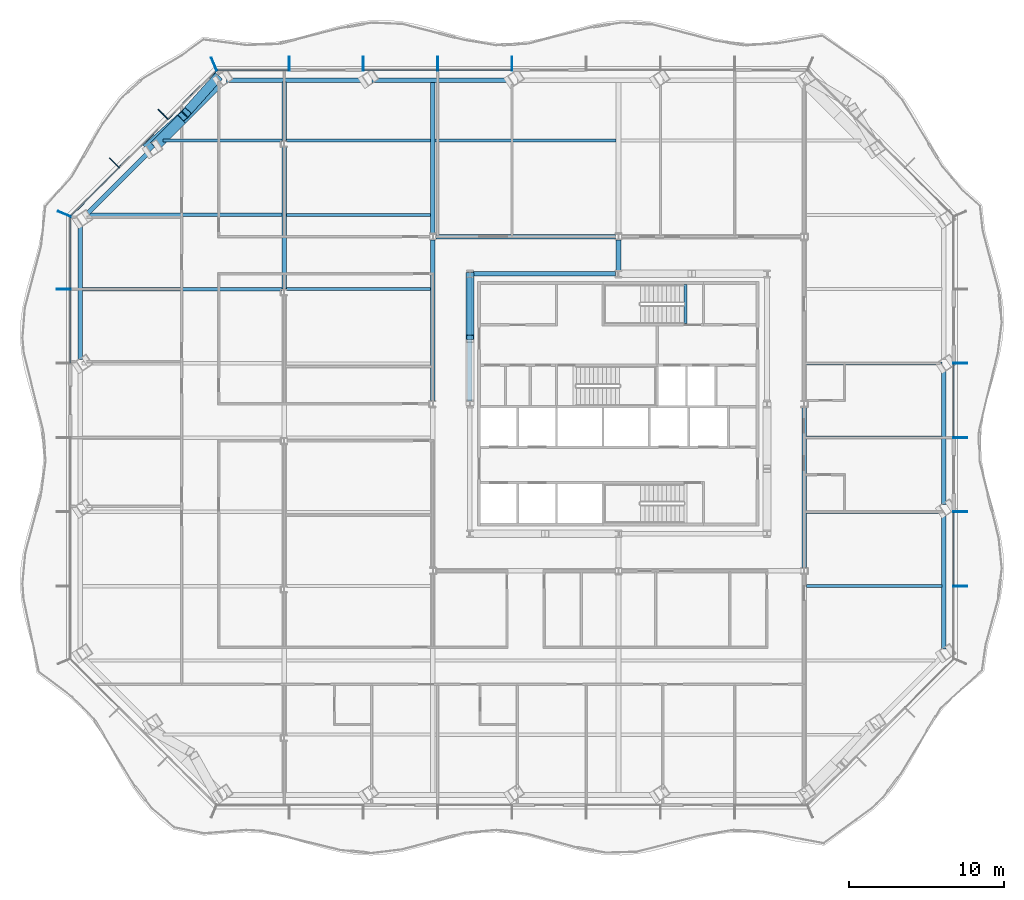
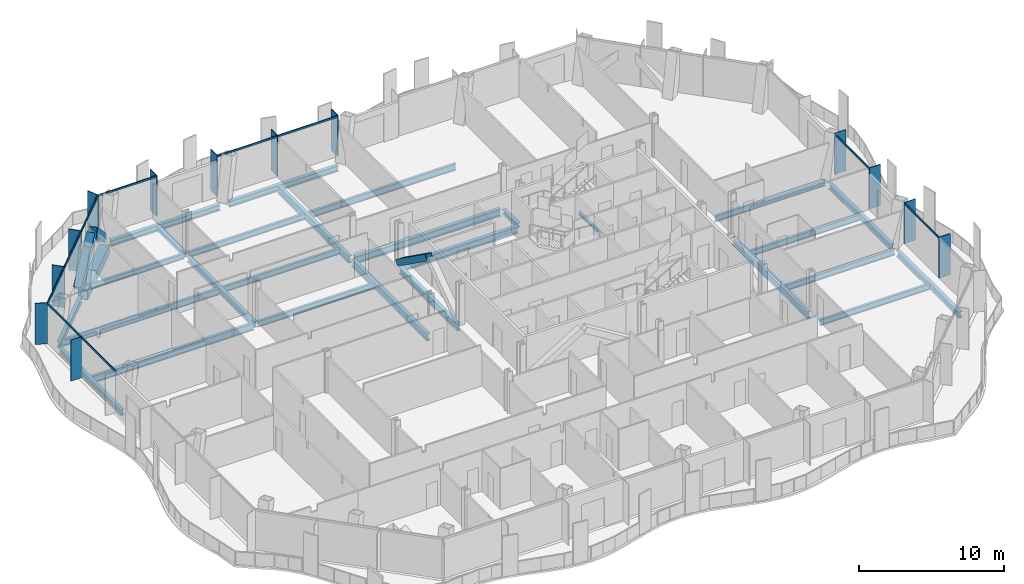
# One storey, part 3 of 19: 29 beams, 26 members, 4 elements without a shape of their own.
"""IFC4 building model written with IfcOpenShell, lengths in metres."""

import ifcopenshell
import ifcopenshell.guid

model = None  # the IFC model being written
_history = None  # IfcOwnerHistory: only IFC2X3 demands one
_inside = {}  # id of a spatial element -> (the spatial element, [elements in it])
_under = {}  # id of a project, library or spatial element -> (it, [spatial elements below it])
_declared = {}  # id of a project -> (the project, [libraries it declares])
_typed = {}  # id of a type object -> (the type object, [elements of that type])
_made_of = {}  # id of a material, layer set ... -> (it, [elements and type objects made of it])


def new_model(schema):
    """Start an empty IFC model of exactly this schema.

    Asked for "IFC4X3", IfcOpenShell would pick the latest addendum, in which some entities
    have other attributes; the version numbers below select the first issue.
    IFC2X3 requires an IfcOwnerHistory on every rooted entity: one is made here for all.
    """
    global model, _history
    if schema == "IFC4X3":
        model = ifcopenshell.file(schema_version=(4, 3, 0, 0))
    else:
        model = ifcopenshell.file(schema=schema)
    _inside.clear()
    _under.clear()
    _declared.clear()
    _typed.clear()
    _made_of.clear()
    _history = None
    if model.schema == "IFC2X3":
        org = make("IfcOrganization", Name="unknown")
        user = make(
            "IfcPersonAndOrganization",
            ThePerson=make("IfcPerson", FamilyName="unknown"),
            TheOrganization=org,
        )
        app = make(
            "IfcApplication",
            ApplicationDeveloper=org,
            Version="unknown",
            ApplicationFullName="unknown",
            ApplicationIdentifier="unknown",
        )
        _history = make(
            "IfcOwnerHistory",
            OwningUser=user,
            OwningApplication=app,
            ChangeAction="ADDED",
            CreationDate=0,
        )
    return model


def make(cls, **values):
    """One entity of the class cls with the attributes given. An attribute that is None is left unset."""
    return model.create_entity(
        cls, **{name: value for name, value in values.items() if value is not None}
    )


def rooted(cls, **values):
    """An entity with a GlobalId (a new one), such as an element, a storey or a relation."""
    return make(cls, GlobalId=ifcopenshell.guid.new(), OwnerHistory=_history, **values)


def si_unit(unit_type, name, prefix=None):
    """IfcSIUnit, for example si_unit("LENGTHUNIT", "METRE", prefix="MILLI")."""
    return make("IfcSIUnit", UnitType=unit_type, Prefix=prefix, Name=name)


def assignment(units):
    """IfcUnitAssignment: the units of a project."""
    return None if units is None else make("IfcUnitAssignment", Units=units)


def point(xyz):
    """IfcCartesianPoint."""
    return None if xyz is None else make("IfcCartesianPoint", Coordinates=xyz)


def direction(xyz):
    """IfcDirection."""
    return None if xyz is None else make("IfcDirection", DirectionRatios=xyz)


def frame(location, z_axis=None, x_axis=None):
    """IfcAxis2Placement3D, a coordinate frame: its origin and axes. An axis left out is left unset."""
    return make(
        "IfcAxis2Placement3D",
        Location=point(location),
        Axis=direction(z_axis),
        RefDirection=direction(x_axis),
    )


def frame_2d(location, x_axis=None):
    """IfcAxis2Placement2D, a coordinate frame in the plane: its origin and x axis."""
    return make(
        "IfcAxis2Placement2D", Location=point(location), RefDirection=direction(x_axis)
    )


def origin():
    """The frame at (0, 0, 0) with its axes left unset."""
    return frame((0.0, 0.0, 0.0))


def origin_2d():
    """The frame at (0, 0) in the plane with its x axis left unset."""
    return frame_2d((0.0, 0.0))


def place(relative_to, where):
    """IfcLocalPlacement: puts the frame where relative to a parent placement (None: the world)."""
    return make(
        "IfcLocalPlacement", PlacementRelTo=relative_to, RelativePlacement=where
    )


def context(
    kind, dimensions, precision=None, world=None, true_north=None, identifier=None
):
    """IfcGeometricRepresentationContext, for example the 3D "Model" context."""
    return make(
        "IfcGeometricRepresentationContext",
        ContextIdentifier=identifier,
        ContextType=kind,
        CoordinateSpaceDimension=dimensions,
        Precision=precision,
        WorldCoordinateSystem=world,
        TrueNorth=true_north,
    )


def subcontext(parent, identifier, kind, view, scale=None):
    """IfcGeometricRepresentationSubContext, for example "Body" below "Model"."""
    return make(
        "IfcGeometricRepresentationSubContext",
        ContextIdentifier=identifier,
        ContextType=kind,
        ParentContext=parent,
        TargetScale=scale,
        TargetView=view,
    )


def project(units=None, contexts=None):
    """IfcProject with its units and contexts."""
    return rooted(
        "IfcProject",
        Name="project",
        RepresentationContexts=contexts,
        UnitsInContext=assignment(units),
    )


def spatial(cls, under=None, at=None, **own):
    """A site, building, storey or space (cls), placed at a placement, below another one or the project."""
    s = rooted(cls, ObjectPlacement=at, **own)
    if under is not None:
        _under.setdefault(under.id(), (under, []))[1].append(s)
    return s


def profile(cls, at=None, kind="AREA", **sizes):
    """A parametric profile (cls). Its sizes go by their IFC names, for example OverallWidth=200.0."""
    return make(cls, ProfileType=kind, Position=at, **sizes)


def rectangle(**sizes):
    """IfcRectangleProfileDef."""
    return profile("IfcRectangleProfileDef", **sizes)


def hollow_rectangle(**sizes):
    """IfcRectangleHollowProfileDef."""
    return profile("IfcRectangleHollowProfileDef", **sizes)


def i_section(**sizes):
    """IfcIShapeProfileDef."""
    return profile("IfcIShapeProfileDef", **sizes)


def extrude(swept, where, along, depth):
    """IfcExtrudedAreaSolid: the profile swept, set in the frame where, extruded along a direction by depth."""
    return make(
        "IfcExtrudedAreaSolid",
        SweptArea=swept,
        Position=where,
        ExtrudedDirection=direction(along),
        Depth=depth,
    )


def shape(context_of_items, identifier, shape_type, items):
    """IfcShapeRepresentation: the items that make up one representation, for example the "Body"."""
    return make(
        "IfcShapeRepresentation",
        ContextOfItems=context_of_items,
        RepresentationIdentifier=identifier,
        RepresentationType=shape_type,
        Items=items,
    )


def material(Name=None, Category=None):
    """IfcMaterial."""
    return make("IfcMaterial", Name=Name, Category=Category)


def material_profile(
    of_material, cross_section, Name=None, Category=None, Priority=None
):
    """IfcMaterialProfile: a cross section and its material."""
    return make(
        "IfcMaterialProfile",
        Name=Name,
        Material=of_material,
        Profile=cross_section,
        Priority=Priority,
        Category=Category,
    )


def profile_set(profiles, Name=None, composite=None):
    """IfcMaterialProfileSet."""
    return make(
        "IfcMaterialProfileSet",
        Name=Name,
        MaterialProfiles=profiles,
        CompositeProfile=composite,
    )


def made_of(thing, what):
    """Note that an element or type object is made of a material, layer set ...; save() writes the relation."""
    if what is not None:
        _made_of.setdefault(what.id(), (what, []))[1].append(thing)
    return thing


def type_object(cls, material=None, **own):
    """A type object (cls), such as IfcWallType, which elements share."""
    return made_of(rooted(cls, **own), material)


def element(
    cls,
    number,
    at=None,
    inside=None,
    cuts=None,
    type_object=None,
    material=None,
    context=None,
    identifier="Body",
    shape_type=None,
    held_by="IfcProductDefinitionShape",
    body=None,
    shapes=None,
    **own,
):
    """One element of the class cls, such as IfcWall. Its Tag is "e" and its number.

    at: its placement. inside: the storey or other place that contains it. cuts: it is an
    opening in that element (IfcRelVoidsElement). A single representation is given by context,
    identifier, shape_type and body (its items); several are given by shapes. held_by: the class
    of the entity that holds the representations. save() writes the other relations.
    """
    e = rooted(cls, Tag="e%d" % number, ObjectPlacement=at, **own)
    if body is not None:
        shapes = [shape(context, identifier, shape_type, body)]
    if shapes is not None:
        e.Representation = make(held_by, Representations=shapes)
    if inside is not None:
        _inside.setdefault(inside.id(), (inside, []))[1].append(e)
    if cuts is not None:
        rooted(
            "IfcRelVoidsElement", RelatingBuildingElement=cuts, RelatedOpeningElement=e
        )
    if type_object is not None:
        _typed.setdefault(type_object.id(), (type_object, []))[1].append(e)
    return made_of(e, material)


def aggregate(whole, parts):
    """IfcRelAggregates: a whole, such as a stair, and the parts it consists of."""
    return rooted("IfcRelAggregates", RelatingObject=whole, RelatedObjects=parts)


def save(model, path):
    """Write the relations noted so far, then the file.

    IfcRelAggregates (storeys below a building ...), IfcRelContainedInSpatialStructure (elements
    in a storey), IfcRelDefinesByType, IfcRelAssociatesMaterial and IfcRelDeclares: one each for
    every whole, place, type object, material and project.
    """
    for whole, parts in _under.values():
        aggregate(whole, parts)
    for where, things in _inside.values():
        rooted(
            "IfcRelContainedInSpatialStructure",
            RelatedElements=things,
            RelatingStructure=where,
        )
    for kind, things in _typed.values():
        rooted("IfcRelDefinesByType", RelatedObjects=things, RelatingType=kind)
    for what, things in _made_of.values():
        rooted("IfcRelAssociatesMaterial", RelatedObjects=things, RelatingMaterial=what)
    for by, libraries in _declared.values():
        rooted("IfcRelDeclares", RelatingContext=by, RelatedDefinitions=libraries)
    model.write(path)


model = new_model("IFC4")

# Units and contexts
model_context = context("Model", 3, precision=1e-05, world=origin(), true_north=direction((0.0, 1.0)))
body_context = subcontext(model_context, "Body", "Model", "MODEL_VIEW")
ifc_project = project(units=[si_unit("LENGTHUNIT", "METRE"), si_unit("AREAUNIT", "SQUARE_METRE"), si_unit("VOLUMEUNIT", "CUBIC_METRE"), si_unit("PLANEANGLEUNIT", "RADIAN"), si_unit("MASSUNIT", "GRAM", prefix="KILO")], contexts=[model_context])

# Site, building, storey
site_placement = place(None, origin())
site = spatial("IfcSite", under=ifc_project, at=site_placement, CompositionType="ELEMENT")
building_placement = place(site_placement, origin())
building = spatial("IfcBuilding", under=site, at=building_placement, Name="Cairn Pilgrim Tower", CompositionType="ELEMENT")
storey_placement = place(building_placement, frame((0.0, 0.0, 90.60009765625)))
storey = spatial("IfcBuildingStorey", under=building, at=storey_placement, Name="L21", CompositionType="ELEMENT", Elevation=90.60009765625)

# Members
ifc_material_1 = material(Name="Structural steel S460M", Category="steel")
ifc_material_profile_1 = material_profile(ifc_material_1, hollow_rectangle(XDim=0.5, YDim=0.5, WallThickness=0.030029296875, at=origin_2d()), Name="BOX 500x500x30")
ifc_profile_set_1 = profile_set([ifc_material_profile_1], Name="Structural steel S460M")
member_type_1 = type_object("IfcMemberType", Name="BOX 500x500x30 BRACE", PredefinedType="BRACE", material=ifc_profile_set_1)
member_1_placement = place(storey_placement, frame((-2.39990234375, 10.75634765625, 0.099853515625), z_axis=(0.0, -0.814175628242, 0.580618675532), x_axis=(1.0, 0.0, 0.0)))
element("IfcMember", 1, at=member_1_placement, inside=storey, type_object=member_type_1, Name="KB-4A", PredefinedType="BRACE", context=body_context, shape_type="SweptSolid", body=[
    extrude(hollow_rectangle(XDim=0.5, YDim=0.5, WallThickness=0.030029296875, at=origin_2d()), origin(), (0.0, 0.0, 1.0), 4.99658203125),
])
ifc_material_profile_2 = material_profile(ifc_material_1, hollow_rectangle(XDim=0.60009765625, YDim=0.60009765625, WallThickness=0.034912109375, at=origin_2d()), Name="BOX 600x600x35")
ifc_profile_set_2 = profile_set([ifc_material_profile_2], Name="Structural steel S460M")
member_type_2 = type_object("IfcMemberType", Name="BOX 600x600x35 BRACE", PredefinedType="BRACE", material=ifc_profile_set_2)
member_2_placement = place(storey_placement, frame((-18.750732421875, 23.444580078125, 0.14990234375), z_axis=(-0.498877118792, -0.559630304218, 0.661766985386), x_axis=(0.746462787456, -0.66542716126, 0.0)))
element("IfcMember", 2, at=member_2_placement, inside=storey, type_object=member_type_2, Name="XB-NW1-NW2-1", PredefinedType="BRACE", context=body_context, shape_type="SweptSolid", body=[
    extrude(hollow_rectangle(XDim=0.60009765625, YDim=0.60009765625, WallThickness=0.034912109375, at=origin_2d()), origin(), (0.0, 0.0, 1.0), 3.970458984375),
])
member_3_placement = place(storey_placement, frame((-23.173828125, 19.021240234375, 0.14990234375), z_axis=(0.559570901461, 0.498940471918, 0.661769455113), x_axis=(-0.665513600019, 0.746385723463, 0.0)))
element("IfcMember", 3, at=member_3_placement, inside=storey, type_object=member_type_2, Name="XB-NW1-NW2-2", PredefinedType="BRACE", context=body_context, shape_type="SweptSolid", body=[
    extrude(hollow_rectangle(XDim=0.60009765625, YDim=0.60009765625, WallThickness=0.034912109375, at=origin_2d()), origin(), (0.0, 0.0, 1.0), 3.97021484375),
])

# Beams
ifc_material_2 = material(Name="Structural steel S355J2", Category="steel")
ifc_material_profile_3 = material_profile(ifc_material_2, hollow_rectangle(XDim=0.699951171875, YDim=0.800048828125, WallThickness=0.0400390625, at=origin_2d()), Name="BOX 700x800x40")
ifc_profile_set_3 = profile_set([ifc_material_profile_3], Name="Structural steel S355J2")
beam_type_1 = type_object("IfcBeamType", Name="BOX 700x800x40 RING GIRDER", PredefinedType="SPANDREL", material=ifc_profile_set_3)
beam_1_placement = place(storey_placement, frame((-18.76123046875, 23.05908203125, -0.550048828125), z_axis=(-0.707106781187, -0.707106781187, 0.0), x_axis=(0.707106781187, -0.707106781187, 0.0)))
element("IfcBeam", 4, at=beam_1_placement, inside=storey, type_object=beam_type_1, Name="RG1-NW1-NW2-1", PredefinedType="SPANDREL", context=body_context, shape_type="SweptSolid", body=[
    extrude(hollow_rectangle(XDim=0.699951171875, YDim=0.800048828125, WallThickness=0.0400390625, at=origin_2d()), origin(), (0.0, 0.0, 1.0), 3.2255859375),
])
beam_2_placement = place(storey_placement, frame((-21.0419921875, 20.7783203125, -0.550048828125), z_axis=(-0.707106781187, -0.707106781187, 0.0), x_axis=(0.707106781187, -0.707106781187, 0.0)))
element("IfcBeam", 5, at=beam_2_placement, inside=storey, type_object=beam_type_1, Name="RG1-NW1-NW2-2", PredefinedType="SPANDREL", context=body_context, shape_type="SweptSolid", body=[
    extrude(hollow_rectangle(XDim=0.699951171875, YDim=0.800048828125, WallThickness=0.0400390625, at=origin_2d()), origin(), (0.0, 0.0, 1.0), 2.469970703125),
])

# Curtain wall, members
ifc_material_3 = material(Name="Aluminium alloy 6063-T6 bronze anodised with Bronze tinted laminated low-E glass 8+16+8.8", Category="aluminium")
curtain_wall_type_1 = type_object("IfcCurtainWallType", Name="TOWER STICK CURTAIN WALL EW", PredefinedType="NOTDEFINED", material=ifc_material_3)
curtain_wall_1_placement = place(storey_placement, origin())
curtain_wall_1 = element("IfcCurtainWall", 6, at=curtain_wall_1_placement, inside=storey, type_object=curtain_wall_type_1, Name="Tower Stick Curtain Wall Ew E", PredefinedType="NOTDEFINED")
ifc_material_4 = material(Name="Aluminium alloy 6063-T6 bronze anodised", Category="aluminium")
ifc_material_profile_4 = material_profile(ifc_material_4, rectangle(XDim=0.89990234375, YDim=0.06005859375, at=origin_2d()), Name="FIN MULLION 60x900 BRONZE")
ifc_profile_set_4 = profile_set([ifc_material_profile_4], Name="Aluminium alloy 6063-T6 bronze anodised")
member_type_3 = type_object("IfcMemberType", Name="FIN MULLION 60x900 BRONZE", PredefinedType="MULLION", material=ifc_profile_set_4)
member_4_placement = place(storey_placement, frame((29.29052734375, -9.38623046875, 0.0), z_axis=(0.0, 0.0, 1.0), x_axis=(1.0, 0.0, 0.0)))
member_4 = element("IfcMember", 7, at=member_4_placement, type_object=member_type_3, Name="Fin mullion E2", PredefinedType="MULLION", context=body_context, shape_type="SweptSolid", body=[
    extrude(rectangle(XDim=0.89990234375, YDim=0.06005859375, at=origin_2d()), origin(), (0.0, 0.0, 1.0), 3.449951171875),
])
member_5_placement = place(storey_placement, frame((29.29052734375, -4.58642578125, 0.0), z_axis=(0.0, 0.0, 1.0), x_axis=(1.0, 0.0, 0.0)))
member_5 = element("IfcMember", 8, at=member_5_placement, type_object=member_type_3, Name="Fin mullion E3", PredefinedType="MULLION", context=body_context, shape_type="SweptSolid", body=[
    extrude(rectangle(XDim=0.89990234375, YDim=0.06005859375, at=origin_2d()), origin(), (0.0, 0.0, 1.0), 3.449951171875),
])
member_6_placement = place(storey_placement, frame((29.29052734375, 0.213623046875, 0.0), z_axis=(0.0, 0.0, 1.0), x_axis=(1.0, 0.0, 0.0)))
member_6 = element("IfcMember", 9, at=member_6_placement, type_object=member_type_3, Name="Fin mullion E4", PredefinedType="MULLION", context=body_context, shape_type="SweptSolid", body=[
    extrude(rectangle(XDim=0.89990234375, YDim=0.06005859375, at=origin_2d()), origin(), (0.0, 0.0, 1.0), 3.449951171875),
])
member_7_placement = place(storey_placement, frame((29.29052734375, 5.013671875, 0.0), z_axis=(0.0, 0.0, 1.0), x_axis=(1.0, 0.0, 0.0)))
member_7 = element("IfcMember", 10, at=member_7_placement, type_object=member_type_3, Name="Fin mullion E5", PredefinedType="MULLION", context=body_context, shape_type="SweptSolid", body=[
    extrude(rectangle(XDim=0.89990234375, YDim=0.06005859375, at=origin_2d()), origin(), (0.0, 0.0, 1.0), 3.449951171875),
])

curtain_wall_type_2 = type_object("IfcCurtainWallType", Name="TOWER STICK CURTAIN WALL NS", PredefinedType="NOTDEFINED", material=ifc_material_3)
curtain_wall_2_placement = place(storey_placement, origin())
curtain_wall_2 = element("IfcCurtainWall", 11, at=curtain_wall_2_placement, inside=storey, type_object=curtain_wall_type_2, Name="Tower Stick Curtain Wall Ns N", PredefinedType="NOTDEFINED")
member_8_placement = place(storey_placement, frame((0.320556640625, 24.383544921875, 0.0), z_axis=(0.0, 0.0, 1.0), x_axis=(0.0, 1.0, 0.0)))
member_8 = element("IfcMember", 12, at=member_8_placement, type_object=member_type_3, Name="Fin mullion N5", PredefinedType="MULLION", context=body_context, shape_type="SweptSolid", body=[
    extrude(rectangle(XDim=0.89990234375, YDim=0.06005859375, at=origin_2d()), origin(), (0.0, 0.0, 1.0), 3.449951171875),
])
member_9_placement = place(storey_placement, frame((-4.4794921875, 24.383544921875, 0.0), z_axis=(0.0, 0.0, 1.0), x_axis=(0.0, 1.0, 0.0)))
member_9 = element("IfcMember", 13, at=member_9_placement, type_object=member_type_3, Name="Fin mullion N6", PredefinedType="MULLION", context=body_context, shape_type="SweptSolid", body=[
    extrude(rectangle(XDim=0.89990234375, YDim=0.06005859375, at=origin_2d()), origin(), (0.0, 0.0, 1.0), 3.449951171875),
])
member_10_placement = place(storey_placement, frame((-9.279541015625, 24.383544921875, 0.0), z_axis=(0.0, 0.0, 1.0), x_axis=(0.0, 1.0, 0.0)))
member_10 = element("IfcMember", 14, at=member_10_placement, type_object=member_type_3, Name="Fin mullion N7", PredefinedType="MULLION", context=body_context, shape_type="SweptSolid", body=[
    extrude(rectangle(XDim=0.89990234375, YDim=0.06005859375, at=origin_2d()), origin(), (0.0, 0.0, 1.0), 3.449951171875),
])
member_11_placement = place(storey_placement, frame((-14.07958984375, 24.383544921875, 0.0), z_axis=(0.0, 0.0, 1.0), x_axis=(0.0, 1.0, 0.0)))
member_11 = element("IfcMember", 15, at=member_11_placement, type_object=member_type_3, Name="Fin mullion N8", PredefinedType="MULLION", context=body_context, shape_type="SweptSolid", body=[
    extrude(rectangle(XDim=0.89990234375, YDim=0.06005859375, at=origin_2d()), origin(), (0.0, 0.0, 1.0), 3.449951171875),
])

curtain_wall_type_3 = type_object("IfcCurtainWallType", Name="CHAMFER CORNER CURTAIN WALL", PredefinedType="NOTDEFINED", material=ifc_material_3)
curtain_wall_3_placement = place(storey_placement, origin())
curtain_wall_3 = element("IfcCurtainWall", 16, at=curtain_wall_3_placement, inside=storey, type_object=curtain_wall_type_3, Name="Chamfer Corner Curtain Wall NW", PredefinedType="NOTDEFINED")
member_12_placement = place(storey_placement, frame((-18.936767578125, 24.351806640625, 0.0), z_axis=(0.0, 0.0, 1.0), x_axis=(-0.382683432365, 0.923879532511, 0.0)))
member_12 = element("IfcMember", 17, at=member_12_placement, type_object=member_type_3, Name="Fin mullion NW1", PredefinedType="MULLION", context=body_context, shape_type="SweptSolid", body=[
    extrude(rectangle(XDim=0.89990234375, YDim=0.06005859375, at=origin_2d()), origin(), (0.0, 0.0, 1.0), 3.449951171875),
])
member_13_placement = place(storey_placement, frame((-22.22412109375, 21.109375, 0.0), z_axis=(0.0, 0.0, 1.0), x_axis=(-0.707106781187, 0.707106781187, 0.0)))
member_13 = element("IfcMember", 18, at=member_13_placement, type_object=member_type_3, Name="Fin mullion NW2", PredefinedType="MULLION", context=body_context, shape_type="SweptSolid", body=[
    extrude(rectangle(XDim=0.89990234375, YDim=0.06005859375, at=origin_2d()), origin(), (0.0, 0.0, 1.0), 3.449951171875),
])
member_14_placement = place(storey_placement, frame((-25.375244140625, 17.958251953125, 0.0), z_axis=(0.0, 0.0, 1.0), x_axis=(-0.707106781187, 0.707106781187, 0.0)))
member_14 = element("IfcMember", 19, at=member_14_placement, type_object=member_type_3, Name="Fin mullion NW3", PredefinedType="MULLION", context=body_context, shape_type="SweptSolid", body=[
    extrude(rectangle(XDim=0.89990234375, YDim=0.06005859375, at=origin_2d()), origin(), (0.0, 0.0, 1.0), 3.449951171875),
])

curtain_wall_4_placement = place(storey_placement, origin())
curtain_wall_4 = element("IfcCurtainWall", 20, at=curtain_wall_4_placement, inside=storey, type_object=curtain_wall_type_1, Name="Tower Stick Curtain Wall Ew W", PredefinedType="NOTDEFINED")
member_15_placement = place(storey_placement, frame((-28.617431640625, 14.6708984375, 0.0), z_axis=(0.0, 0.0, 1.0), x_axis=(-0.923879532511, 0.382683432365, 0.0)))
member_15 = element("IfcMember", 21, at=member_15_placement, type_object=member_type_3, Name="Fin mullion W1", PredefinedType="MULLION", context=body_context, shape_type="SweptSolid", body=[
    extrude(rectangle(XDim=0.89990234375, YDim=0.06005859375, at=origin_2d()), origin(), (0.0, 0.0, 1.0), 3.449951171875),
])
member_16_placement = place(storey_placement, frame((-28.6494140625, 9.813720703125, 0.0), z_axis=(0.0, 0.0, 1.0), x_axis=(-1.0, 0.0, 0.0)))
member_16 = element("IfcMember", 22, at=member_16_placement, type_object=member_type_3, Name="Fin mullion W2", PredefinedType="MULLION", context=body_context, shape_type="SweptSolid", body=[
    extrude(rectangle(XDim=0.89990234375, YDim=0.06005859375, at=origin_2d()), origin(), (0.0, 0.0, 1.0), 3.449951171875),
])

# Beams
ifc_material_profile_5 = material_profile(ifc_material_2, i_section(OverallWidth=0.300048828125, OverallDepth=0.39990234375, WebThickness=0.013427734375, FlangeThickness=0.02392578125, FilletRadius=0.027099609375, at=origin_2d()), Name="HEB 400")
ifc_profile_set_5 = profile_set([ifc_material_profile_5], Name="Structural steel S355J2")
beam_type_2 = type_object("IfcBeamType", Name="HEB 400 GIRDER", PredefinedType="BEAM", material=ifc_profile_set_5)
beam_3_placement = place(storey_placement, frame((-14.39990234375, 19.404541015625, -0.35009765625), z_axis=(0.0, 1.0, 0.0), x_axis=(-1.0, 0.0, 0.0)))
element("IfcBeam", 23, at=beam_3_placement, inside=storey, type_object=beam_type_2, Name="PG1-6", PredefinedType="BEAM", context=body_context, shape_type="SweptSolid", body=[
    extrude(i_section(OverallWidth=0.300048828125, OverallDepth=0.39990234375, WebThickness=0.013427734375, FlangeThickness=0.02392578125, FilletRadius=0.027099609375, at=origin_2d()), origin(), (0.0, 0.0, 1.0), 3.7890625),
])
beam_4_placement = place(storey_placement, frame((7.199951171875, 11.0185546875, -0.35009765625), z_axis=(0.0, 1.0, 0.0), x_axis=(-1.0, 0.0, 0.0)))
element("IfcBeam", 24, at=beam_4_placement, inside=storey, type_object=beam_type_2, Name="PG3-E2", PredefinedType="BEAM", context=body_context, shape_type="SweptSolid", body=[
    extrude(i_section(OverallWidth=0.300048828125, OverallDepth=0.39990234375, WebThickness=0.013427734375, FlangeThickness=0.02392578125, FilletRadius=0.027099609375, at=origin_2d()), origin(), (0.0, 0.0, 1.0), 1.97705078125),
])
ifc_material_profile_6 = material_profile(ifc_material_2, i_section(OverallWidth=0.300048828125, OverallDepth=0.5, WebThickness=0.014404296875, FlangeThickness=0.028076171875, FilletRadius=0.027099609375, at=origin_2d()), Name="HEB 500")
ifc_profile_set_6 = profile_set([ifc_material_profile_6], Name="Structural steel S355J2")
beam_type_3 = type_object("IfcBeamType", Name="HEB 500 GIRDER", PredefinedType="BEAM", material=ifc_profile_set_6)
beam_5_placement = place(storey_placement, frame((-14.39990234375, 9.804443359375, -0.400146484375), z_axis=(0.0, 1.0, 0.0), x_axis=(-1.0, 0.0, 0.0)))
element("IfcBeam", 25, at=beam_5_placement, inside=storey, type_object=beam_type_3, Name="PG1-5", PredefinedType="BEAM", context=body_context, shape_type="SweptSolid", body=[
    extrude(i_section(OverallWidth=0.300048828125, OverallDepth=0.5, WebThickness=0.014404296875, FlangeThickness=0.028076171875, FilletRadius=0.027099609375, at=origin_2d()), origin(), (0.0, 0.0, 1.0), 9.191162109375),
])
ifc_material_profile_7 = material_profile(ifc_material_2, i_section(OverallWidth=0.300048828125, OverallDepth=0.5, WebThickness=0.014404296875, FlangeThickness=0.028076171875, FilletRadius=0.027099609375, at=origin_2d()), Name="HEB 500")
ifc_profile_set_7 = profile_set([ifc_material_profile_7], Name="Structural steel S355J2")
beam_type_4 = type_object("IfcBeamType", Name="HEB 500 RING GIRDER", PredefinedType="SPANDREL", material=ifc_profile_set_7)
beam_6_placement = place(storey_placement, frame((28.220458984375, -13.45361328125, -0.400146484375), z_axis=(0.0, 1.0, 0.0), x_axis=(-1.0, 0.0, 0.0)))
element("IfcBeam", 26, at=beam_6_placement, inside=storey, type_object=beam_type_4, Name="RG1-E1-E2", PredefinedType="SPANDREL", context=body_context, shape_type="SweptSolid", body=[
    extrude(i_section(OverallWidth=0.300048828125, OverallDepth=0.5, WebThickness=0.014404296875, FlangeThickness=0.028076171875, FilletRadius=0.027099609375, at=origin_2d()), origin(), (0.0, 0.0, 1.0), 8.631591796875),
])
beam_7_placement = place(storey_placement, frame((28.220458984375, -4.10205078125, -0.400146484375), z_axis=(0.0, 1.0, 0.0), x_axis=(-1.0, 0.0, 0.0)))
element("IfcBeam", 27, at=beam_7_placement, inside=storey, type_object=beam_type_4, Name="RG1-E2-E3", PredefinedType="SPANDREL", context=body_context, shape_type="SweptSolid", body=[
    extrude(i_section(OverallWidth=0.300048828125, OverallDepth=0.5, WebThickness=0.014404296875, FlangeThickness=0.028076171875, FilletRadius=0.027099609375, at=origin_2d()), origin(), (0.0, 0.0, 1.0), 8.63134765625),
])
for number, where, z_axis, x_axis, name in (
    (28, (-0.03955078125, 23.313720703125, -0.400146484375), (-1.0, 0.0, 0.0), (0.0, -1.0, 0.0), "RG1-N3-N4"),
    (29, (-9.453125, 23.313720703125, -0.400146484375), (-1.0, 0.0, 0.0), (0.0, -1.0, 0.0), "RG1-N4-NW1"),
):
    element("IfcBeam", number, at=place(storey_placement, frame(where, z_axis=z_axis, x_axis=x_axis)), inside=storey, type_object=beam_type_4, Name=name, PredefinedType="SPANDREL", context=body_context, shape_type="SweptSolid", body=[
        extrude(i_section(OverallWidth=0.300048828125, OverallDepth=0.5, WebThickness=0.014404296875, FlangeThickness=0.028076171875, FilletRadius=0.027099609375, at=origin_2d()), origin(), (0.0, 0.0, 1.0), 8.693603515625),
    ])
beam_8_placement = place(storey_placement, frame((-23.297607421875, 18.522705078125, -0.400146484375), z_axis=(-0.707106781187, -0.707106781187, 0.0), x_axis=(0.707106781187, -0.707106781187, 0.0)))
element("IfcBeam", 30, at=beam_8_placement, inside=storey, type_object=beam_type_4, Name="RG1-NW2-W1", PredefinedType="SPANDREL", context=body_context, shape_type="SweptSolid", body=[
    extrude(i_section(OverallWidth=0.300048828125, OverallDepth=0.5, WebThickness=0.014404296875, FlangeThickness=0.028076171875, FilletRadius=0.027099609375, at=origin_2d()), origin(), (0.0, 0.0, 1.0), 5.695556640625),
])
beam_9_placement = place(storey_placement, frame((-27.57958984375, 13.880859375, -0.400146484375), z_axis=(0.0, -1.0, 0.0), x_axis=(1.0, 0.0, 0.0)))
element("IfcBeam", 31, at=beam_9_placement, inside=storey, type_object=beam_type_4, Name="RG1-W1-W2", PredefinedType="SPANDREL", context=body_context, shape_type="SweptSolid", body=[
    extrude(i_section(OverallWidth=0.300048828125, OverallDepth=0.5, WebThickness=0.014404296875, FlangeThickness=0.028076171875, FilletRadius=0.027099609375, at=origin_2d()), origin(), (0.0, 0.0, 1.0), 8.63134765625),
])
ifc_material_profile_8 = material_profile(ifc_material_2, i_section(OverallWidth=0.300048828125, OverallDepth=0.60009765625, WebThickness=0.015380859375, FlangeThickness=0.030029296875, FilletRadius=0.027099609375, at=origin_2d()), Name="HEB 600")
ifc_profile_set_8 = profile_set([ifc_material_profile_8], Name="Structural steel S355J2")
beam_type_5 = type_object("IfcBeamType", Name="HEB 600 CORE BEAM", PredefinedType="BEAM", material=ifc_profile_set_8)
beam_10_placement = place(storey_placement, frame((7.00341796875, 10.800048828125, -0.4501953125), z_axis=(-1.0, 0.0, 0.0), x_axis=(0.0, -1.0, 0.0)))
element("IfcBeam", 32, at=beam_10_placement, inside=storey, type_object=beam_type_5, Name="CB-6", PredefinedType="BEAM", context=body_context, shape_type="SweptSolid", body=[
    extrude(i_section(OverallWidth=0.300048828125, OverallDepth=0.60009765625, WebThickness=0.015380859375, FlangeThickness=0.030029296875, FilletRadius=0.027099609375, at=origin_2d()), origin(), (0.0, 0.0, 1.0), 9.206787109375),
])
beam_11_placement = place(storey_placement, frame((-2.39990234375, 10.603515625, -0.4501953125), z_axis=(0.0, -1.0, 0.0), x_axis=(1.0, 0.0, 0.0)))
element("IfcBeam", 33, at=beam_11_placement, inside=storey, type_object=beam_type_5, Name="CB-7", PredefinedType="BEAM", context=body_context, shape_type="SweptSolid", body=[
    extrude(i_section(OverallWidth=0.300048828125, OverallDepth=0.60009765625, WebThickness=0.015380859375, FlangeThickness=0.030029296875, FilletRadius=0.027099609375, at=origin_2d()), origin(), (0.0, 0.0, 1.0), 8.0068359375),
])
ifc_material_profile_9 = material_profile(ifc_material_2, i_section(OverallWidth=0.300048828125, OverallDepth=0.60009765625, WebThickness=0.015380859375, FlangeThickness=0.030029296875, FilletRadius=0.027099609375, at=origin_2d()), Name="HEB 600")
ifc_profile_set_9 = profile_set([ifc_material_profile_9], Name="Structural steel S355J2")
beam_type_6 = type_object("IfcBeamType", Name="HEB 600 GIRDER", PredefinedType="BEAM", material=ifc_profile_set_9)
beam_12_placement = place(storey_placement, frame((-4.800048828125, 2.6044921875, -0.4501953125), z_axis=(0.0, 1.0, 0.0), x_axis=(-1.0, 0.0, 0.0)))
element("IfcBeam", 34, at=beam_12_placement, inside=storey, type_object=beam_type_6, Name="PG2-3", PredefinedType="BEAM", context=body_context, shape_type="SweptSolid", body=[
    extrude(i_section(OverallWidth=0.300048828125, OverallDepth=0.60009765625, WebThickness=0.015380859375, FlangeThickness=0.030029296875, FilletRadius=0.027099609375, at=origin_2d()), origin(), (0.0, 0.0, 1.0), 10.39111328125),
])
beam_13_placement = place(storey_placement, frame((-4.800048828125, 13.404541015625, -0.4501953125), z_axis=(0.0, 1.0, 0.0), x_axis=(-1.0, 0.0, 0.0)))
element("IfcBeam", 35, at=beam_13_placement, inside=storey, type_object=beam_type_6, Name="PG2-4", PredefinedType="BEAM", context=body_context, shape_type="SweptSolid", body=[
    extrude(i_section(OverallWidth=0.300048828125, OverallDepth=0.60009765625, WebThickness=0.015380859375, FlangeThickness=0.030029296875, FilletRadius=0.027099609375, at=origin_2d()), origin(), (0.0, 0.0, 1.0), 9.7890625),
])
beam_14_placement = place(storey_placement, frame((19.199951171875, -8.195556640625, -0.4501953125), z_axis=(0.0, 1.0, 0.0), x_axis=(-1.0, 0.0, 0.0)))
element("IfcBeam", 36, at=beam_14_placement, inside=storey, type_object=beam_type_6, Name="PG4-2", PredefinedType="BEAM", context=body_context, shape_type="SweptSolid", body=[
    extrude(i_section(OverallWidth=0.300048828125, OverallDepth=0.60009765625, WebThickness=0.015380859375, FlangeThickness=0.030029296875, FilletRadius=0.027099609375, at=origin_2d()), origin(), (0.0, 0.0, 1.0), 10.39111328125),
])
ifc_material_profile_10 = material_profile(ifc_material_2, i_section(OverallWidth=0.300048828125, OverallDepth=0.60009765625, WebThickness=0.015380859375, FlangeThickness=0.030029296875, FilletRadius=0.027099609375, at=origin_2d()), Name="HEB 600")
ifc_profile_set_10 = profile_set([ifc_material_profile_10], Name="Structural steel S355J2")
beam_type_7 = type_object("IfcBeamType", Name="HEB 600 INNER GIRDER", PredefinedType="BEAM", material=ifc_profile_set_10)
beam_15_placement = place(storey_placement, frame((-4.595458984375, 13.199951171875, -0.4501953125), z_axis=(1.0, 0.0, 0.0), x_axis=(0.0, 1.0, 0.0)))
element("IfcBeam", 37, at=beam_15_placement, inside=storey, type_object=beam_type_7, Name="IG2-1", PredefinedType="BEAM", context=body_context, shape_type="SweptSolid", body=[
    extrude(i_section(OverallWidth=0.300048828125, OverallDepth=0.60009765625, WebThickness=0.015380859375, FlangeThickness=0.030029296875, FilletRadius=0.027099609375, at=origin_2d()), origin(), (0.0, 0.0, 1.0), 11.591064453125),
])
ifc_material_profile_11 = material_profile(ifc_material_2, i_section(OverallWidth=0.18994140625, OverallDepth=0.449951171875, WebThickness=0.009521484375, FlangeThickness=0.0146484375, FilletRadius=0.02099609375, at=origin_2d()), Name="IPE 450")
ifc_profile_set_11 = profile_set([ifc_material_profile_11], Name="Structural steel S355J2")
beam_type_8 = type_object("IfcBeamType", Name="IPE 450 SECONDARY BEAM", PredefinedType="JOIST", material=ifc_profile_set_11)
beam_16_placement = place(storey_placement, frame((-22.224609375, 19.413818359375, -0.375), z_axis=(1.0, 0.0, 0.0), x_axis=(0.0, 1.0, 0.0)))
element("IfcBeam", 38, at=beam_16_placement, inside=storey, type_object=beam_type_8, Name="SB9-1", PredefinedType="JOIST", context=body_context, shape_type="SweptSolid", body=[
    extrude(i_section(OverallWidth=0.18994140625, OverallDepth=0.449951171875, WebThickness=0.009521484375, FlangeThickness=0.0146484375, FilletRadius=0.02099609375, at=origin_2d()), origin(), (0.0, 0.0, 1.0), 7.674560546875),
])
ifc_material_profile_12 = material_profile(ifc_material_2, i_section(OverallWidth=0.199951171875, OverallDepth=0.5, WebThickness=0.01025390625, FlangeThickness=0.01611328125, FilletRadius=0.02099609375, at=origin_2d()), Name="IPE 500")
ifc_profile_set_12 = profile_set([ifc_material_profile_12], Name="Structural steel S355J2")
beam_type_9 = type_object("IfcBeamType", Name="IPE 500 SECONDARY BEAM", PredefinedType="JOIST", material=ifc_profile_set_12)
for number, where, z_axis, x_axis, name in (
    (39, (19.35009765625, -9.38623046875, -0.400146484375), (1.0, 0.0, 0.0), (0.0, 1.0, 0.0), "SB3-3"),
    (40, (19.35009765625, -4.586181640625, -0.400146484375), (1.0, 0.0, 0.0), (0.0, 1.0, 0.0), "SB4-3"),
    (41, (19.35009765625, 0.213623046875, -0.400146484375), (1.0, 0.0, 0.0), (0.0, 1.0, 0.0), "SB5-3"),
    (42, (19.35009765625, 5.013671875, -0.400146484375), (1.0, 0.0, 0.0), (0.0, 1.0, 0.0), "SB6-3"),
):
    element("IfcBeam", number, at=place(storey_placement, frame(where, z_axis=z_axis, x_axis=x_axis)), inside=storey, type_object=beam_type_9, Name=name, PredefinedType="JOIST", context=body_context, shape_type="SweptSolid", body=[
        extrude(i_section(OverallWidth=0.199951171875, OverallDepth=0.5, WebThickness=0.01025390625, FlangeThickness=0.01611328125, FilletRadius=0.02099609375, at=origin_2d()), origin(), (0.0, 0.0, 1.0), 8.75048828125),
    ])
for number, where, z_axis, x_axis, name in (
    (43, (-14.25, 9.813720703125, -0.400146484375), (1.0, 0.0, 0.0), (0.0, 1.0, 0.0), "SB7-2"),
    (44, (-14.25, 14.61376953125, -0.400146484375), (1.0, 0.0, 0.0), (0.0, 1.0, 0.0), "SB8-2"),
    (45, (-14.25, 19.413818359375, -0.400146484375), (1.0, 0.0, 0.0), (0.0, 1.0, 0.0), "SB9-2"),
):
    element("IfcBeam", number, at=place(storey_placement, frame(where, z_axis=z_axis, x_axis=x_axis)), inside=storey, type_object=beam_type_9, Name=name, PredefinedType="JOIST", context=body_context, shape_type="SweptSolid", body=[
        extrude(i_section(OverallWidth=0.199951171875, OverallDepth=0.5, WebThickness=0.01025390625, FlangeThickness=0.01611328125, FilletRadius=0.02099609375, at=origin_2d()), origin(), (0.0, 0.0, 1.0), 9.300048828125),
    ])
ifc_material_profile_13 = material_profile(ifc_material_2, i_section(OverallWidth=0.2099609375, OverallDepth=0.550048828125, WebThickness=0.010986328125, FlangeThickness=0.01708984375, FilletRadius=0.02392578125, at=origin_2d()), Name="IPE 550")
ifc_profile_set_13 = profile_set([ifc_material_profile_13], Name="Structural steel S355J2")
beam_type_10 = type_object("IfcBeamType", Name="IPE 550 SECONDARY BEAM", PredefinedType="JOIST", material=ifc_profile_set_13)
beam_17_placement = place(storey_placement, frame((-27.024658203125, 14.61376953125, -0.425048828125), z_axis=(1.0, 0.0, 0.0), x_axis=(0.0, 1.0, 0.0)))
element("IfcBeam", 46, at=beam_17_placement, inside=storey, type_object=beam_type_10, Name="SB8-1", PredefinedType="JOIST", context=body_context, shape_type="SweptSolid", body=[
    extrude(i_section(OverallWidth=0.2099609375, OverallDepth=0.550048828125, WebThickness=0.010986328125, FlangeThickness=0.01708984375, FilletRadius=0.02392578125, at=origin_2d()), origin(), (0.0, 0.0, 1.0), 12.474609375),
])
beam_18_placement = place(storey_placement, frame((-4.64990234375, 19.413818359375, -0.425048828125), z_axis=(1.0, 0.0, 0.0), x_axis=(0.0, 1.0, 0.0)))
element("IfcBeam", 47, at=beam_18_placement, inside=storey, type_object=beam_type_10, Name="SB9-3", PredefinedType="JOIST", context=body_context, shape_type="SweptSolid", body=[
    extrude(i_section(OverallWidth=0.2099609375, OverallDepth=0.550048828125, WebThickness=0.010986328125, FlangeThickness=0.01708984375, FilletRadius=0.02392578125, at=origin_2d()), origin(), (0.0, 0.0, 1.0), 11.699951171875),
])
ifc_material_profile_14 = material_profile(ifc_material_2, i_section(OverallWidth=0.219970703125, OverallDepth=0.60009765625, WebThickness=0.011962890625, FlangeThickness=0.01904296875, FilletRadius=0.02392578125, at=origin_2d()), Name="IPE 600")
ifc_profile_set_14 = profile_set([ifc_material_profile_14], Name="Structural steel S355J2")
beam_type_11 = type_object("IfcBeamType", Name="IPE 600 SECONDARY BEAM", PredefinedType="JOIST", material=ifc_profile_set_14)
beam_19_placement = place(storey_placement, frame((-27.45947265625, 9.813720703125, -0.4501953125), z_axis=(1.0, 0.0, 0.0), x_axis=(0.0, 1.0, 0.0)))
element("IfcBeam", 48, at=beam_19_placement, inside=storey, type_object=beam_type_11, Name="SB7-1", PredefinedType="JOIST", context=body_context, shape_type="SweptSolid", body=[
    extrude(i_section(OverallWidth=0.219970703125, OverallDepth=0.60009765625, WebThickness=0.011962890625, FlangeThickness=0.01904296875, FilletRadius=0.02392578125, at=origin_2d()), origin(), (0.0, 0.0, 1.0), 12.909423828125),
])
ifc_material_profile_15 = material_profile(ifc_material_2, i_section(OverallWidth=0.199951171875, OverallDepth=0.199951171875, WebThickness=0.009033203125, FlangeThickness=0.014892578125, FilletRadius=0.01806640625, at=origin_2d()), Name="HE 200 B")
ifc_profile_set_15 = profile_set([ifc_material_profile_15], Name="Structural steel S355J2")
beam_type_12 = type_object("IfcBeamType", Name="STAIR LANDING BEAM HE 200 B", PredefinedType="BEAM", material=ifc_profile_set_15)
beam_20_placement = place(storey_placement, frame((11.5244140625, 10.10009765625, -0.25), z_axis=(0.0, -1.0, 0.0), x_axis=(1.0, 0.0, 0.0)))
element("IfcBeam", 49, at=beam_20_placement, inside=storey, type_object=beam_type_12, Name="STAIR LANDING BEAM LD-HE200B", PredefinedType="BEAM", context=body_context, shape_type="SweptSolid", body=[
    extrude(i_section(OverallWidth=0.199951171875, OverallDepth=0.199951171875, WebThickness=0.009033203125, FlangeThickness=0.014892578125, FilletRadius=0.01806640625, at=origin_2d()), origin(), (0.0, 0.0, 1.0), 2.525146484375),
])

# Member
ifc_material_profile_16 = material_profile(ifc_material_4, rectangle(XDim=0.080078125, YDim=0.14990234375, at=origin_2d()), Name="TRANSOM 80x150 BRONZE")
ifc_profile_set_16 = profile_set([ifc_material_profile_16], Name="Aluminium alloy 6063-T6 bronze anodised")
member_type_4 = type_object("IfcMemberType", Name="TRANSOM 80x150 BRONZE", PredefinedType="USERDEFINED", material=ifc_profile_set_16)
member_17_placement = place(storey_placement, frame((28.87060546875, -9.3564453125, 3.375), z_axis=(0.0, 1.0, 0.0), x_axis=(-1.0, 0.0, 0.0)))
member_17 = element("IfcMember", 50, at=member_17_placement, type_object=member_type_4, Name="Transom E2", ObjectType="TRANSOM", PredefinedType="USERDEFINED", context=body_context, shape_type="SweptSolid", body=[
    extrude(rectangle(XDim=0.080078125, YDim=0.14990234375, at=origin_2d()), origin(), (0.0, 0.0, 1.0), 4.739990234375),
])

member_18_placement = place(storey_placement, frame((28.87060546875, 0.24365234375, 3.375), z_axis=(0.0, 1.0, 0.0), x_axis=(-1.0, 0.0, 0.0)))
member_18 = element("IfcMember", 51, at=member_18_placement, type_object=member_type_4, Name="Transom E4", ObjectType="TRANSOM", PredefinedType="USERDEFINED", context=body_context, shape_type="SweptSolid", body=[
    extrude(rectangle(XDim=0.080078125, YDim=0.14990234375, at=origin_2d()), origin(), (0.0, 0.0, 1.0), 4.739990234375),
])

aggregate(curtain_wall_1, [member_4, member_5, member_6, member_7, member_17, member_18])

member_19_placement = place(storey_placement, frame((0.29052734375, 23.963623046875, 3.375), z_axis=(-1.0, 0.0, 0.0), x_axis=(0.0, -1.0, 0.0)))
member_19 = element("IfcMember", 52, at=member_19_placement, type_object=member_type_4, Name="Transom N5", ObjectType="TRANSOM", PredefinedType="USERDEFINED", context=body_context, shape_type="SweptSolid", body=[
    extrude(rectangle(XDim=0.080078125, YDim=0.14990234375, at=origin_2d()), origin(), (0.0, 0.0, 1.0), 4.739990234375),
])

member_20_placement = place(storey_placement, frame((-4.509521484375, 23.963623046875, 3.375), z_axis=(-1.0, 0.0, 0.0), x_axis=(0.0, -1.0, 0.0)))
member_20 = element("IfcMember", 53, at=member_20_placement, type_object=member_type_4, Name="Transom N6", ObjectType="TRANSOM", PredefinedType="USERDEFINED", context=body_context, shape_type="SweptSolid", body=[
    extrude(rectangle(XDim=0.080078125, YDim=0.14990234375, at=origin_2d()), origin(), (0.0, 0.0, 1.0), 4.739990234375),
])

member_21_placement = place(storey_placement, frame((-14.109619140625, 23.963623046875, 3.375), z_axis=(-1.0, 0.0, 0.0), x_axis=(0.0, -1.0, 0.0)))
member_21 = element("IfcMember", 54, at=member_21_placement, type_object=member_type_4, Name="Transom N8", ObjectType="TRANSOM", PredefinedType="USERDEFINED", context=body_context, shape_type="SweptSolid", body=[
    extrude(rectangle(XDim=0.080078125, YDim=0.14990234375, at=origin_2d()), origin(), (0.0, 0.0, 1.0), 4.626220703125),
])

aggregate(curtain_wall_2, [member_8, member_9, member_10, member_11, member_19, member_20, member_21])

member_22_placement = place(storey_placement, frame((-18.80419921875, 23.935302734375, 3.375), z_axis=(-0.707134609628, -0.70707895165, 0.0), x_axis=(0.70707895165, -0.707134609628, 0.0)))
member_22 = element("IfcMember", 55, at=member_22_placement, type_object=member_type_4, Name="Transom NW1", ObjectType="TRANSOM", PredefinedType="USERDEFINED", context=body_context, shape_type="SweptSolid", body=[
    extrude(rectangle(XDim=0.080078125, YDim=0.14990234375, at=origin_2d()), origin(), (0.0, 0.0, 1.0), 4.386474609375),
])

member_23_placement = place(storey_placement, frame((-21.9482421875, 20.791259765625, 3.375), z_axis=(-0.707134546251, -0.707079015032, 0.0), x_axis=(0.707079015032, -0.707134546251, 0.0)))
member_23 = element("IfcMember", 56, at=member_23_placement, type_object=member_type_4, Name="Transom NW2", ObjectType="TRANSOM", PredefinedType="USERDEFINED", context=body_context, shape_type="SweptSolid", body=[
    extrude(rectangle(XDim=0.080078125, YDim=0.14990234375, at=origin_2d()), origin(), (0.0, 0.0, 1.0), 4.396484375),
])

member_24_placement = place(storey_placement, frame((-25.099609375, 17.64013671875, 3.375), z_axis=(-0.70707895165, -0.707134609628, 0.0), x_axis=(0.707134609628, -0.70707895165, 0.0)))
member_24 = element("IfcMember", 57, at=member_24_placement, type_object=member_type_4, Name="Transom NW3", ObjectType="TRANSOM", PredefinedType="USERDEFINED", context=body_context, shape_type="SweptSolid", body=[
    extrude(rectangle(XDim=0.080078125, YDim=0.14990234375, at=origin_2d()), origin(), (0.0, 0.0, 1.0), 4.386474609375),
])

aggregate(curtain_wall_3, [member_12, member_13, member_14, member_22, member_23, member_24])

member_25_placement = place(storey_placement, frame((-28.2294921875, 14.47021484375, 3.375), z_axis=(0.0, -1.0, 0.0), x_axis=(1.0, 0.0, 0.0)))
member_25 = element("IfcMember", 58, at=member_25_placement, type_object=member_type_4, Name="Transom W1", ObjectType="TRANSOM", PredefinedType="USERDEFINED", context=body_context, shape_type="SweptSolid", body=[
    extrude(rectangle(XDim=0.080078125, YDim=0.14990234375, at=origin_2d()), origin(), (0.0, 0.0, 1.0), 4.62646484375),
])

member_26_placement = place(storey_placement, frame((-28.2294921875, 9.78369140625, 3.375), z_axis=(0.0, -1.0, 0.0), x_axis=(1.0, 0.0, 0.0)))
member_26 = element("IfcMember", 59, at=member_26_placement, type_object=member_type_4, Name="Transom W2", ObjectType="TRANSOM", PredefinedType="USERDEFINED", context=body_context, shape_type="SweptSolid", body=[
    extrude(rectangle(XDim=0.080078125, YDim=0.14990234375, at=origin_2d()), origin(), (0.0, 0.0, 1.0), 4.739990234375),
])

aggregate(curtain_wall_4, [member_15, member_16, member_25, member_26])

save(model, "model.ifc")
